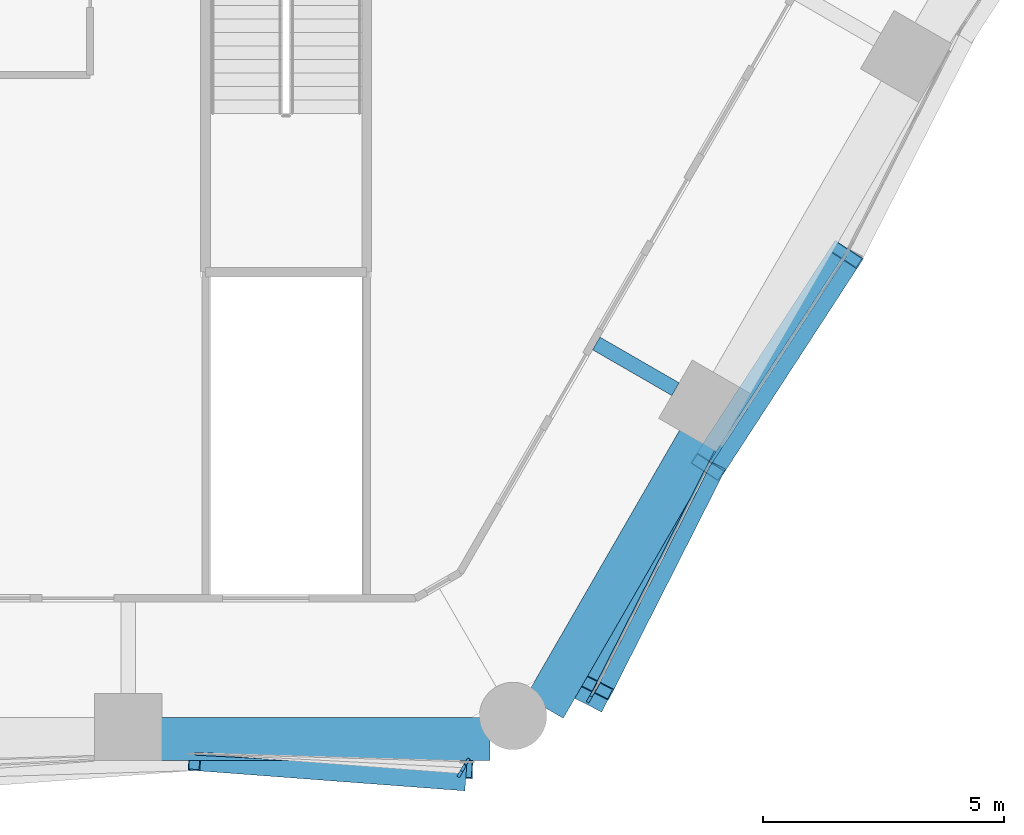
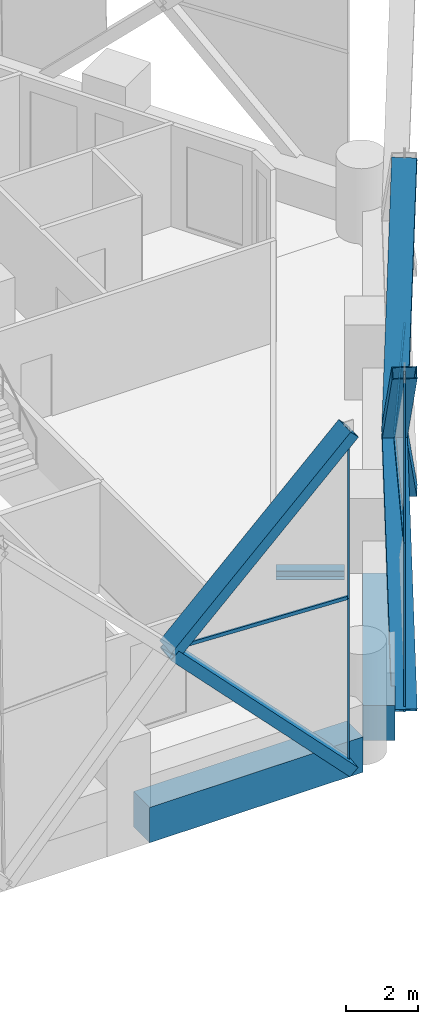
# One storey, part 5 of 22: 13 members, 3 beams, 4 elements without a shape of their own.
"""IFC4 building model written with IfcOpenShell, lengths in metres."""

from ifc_helpers import new_model, si_unit, direction, frame, origin, origin_2d, place, context, subcontext, project, spatial, rectangle, hollow_rectangle, i_section, extrude, material, material_profile, profile_set, type_object, element, aggregate, save


model = new_model("IFC4")

# Units and contexts
model_context = context("Model", 3, precision=1e-05, world=origin(), true_north=direction((0.0, 1.0)))
body_context = subcontext(model_context, "Body", "Model", "MODEL_VIEW")
ifc_project = project(units=[si_unit("LENGTHUNIT", "METRE"), si_unit("AREAUNIT", "SQUARE_METRE"), si_unit("VOLUMEUNIT", "CUBIC_METRE"), si_unit("PLANEANGLEUNIT", "RADIAN"), si_unit("MASSUNIT", "GRAM", prefix="KILO")], contexts=[model_context])

# Site, building, storey
site_placement = place(None, origin())
site = spatial("IfcSite", under=ifc_project, at=site_placement, CompositionType="ELEMENT")
building_placement = place(site_placement, origin())
building = spatial("IfcBuilding", under=site, at=building_placement, Name="Ostrander Bayou Hotel Tower", CompositionType="ELEMENT")
storey_placement = place(building_placement, frame((0.0, 0.0, 46.75)))
storey = spatial("IfcBuildingStorey", under=building, at=storey_placement, Name="L11", CompositionType="ELEMENT", Elevation=46.75)

# Curtain wall, members
ifc_material_1 = material(Name="Aluminium and clear glass", Category="aluminium")
curtain_wall_type = type_object("IfcCurtainWallType", Name="CW-LAT lattice glazing", PredefinedType="NOTDEFINED", material=ifc_material_1)
curtain_wall_1_placement = place(storey_placement, origin())
curtain_wall_1 = element("IfcCurtainWall", 1, at=curtain_wall_1_placement, inside=storey, type_object=curtain_wall_type, Name="CW-LAT L11 S 1", PredefinedType="NOTDEFINED")
ifc_material_2 = material(Name="Aluminium", Category="aluminium")
ifc_material_profile_1 = material_profile(ifc_material_2, hollow_rectangle(XDim=0.06005859375, YDim=0.159912109375, WallThickness=0.00390625, at=origin_2d()))
ifc_profile_set_1 = profile_set([ifc_material_profile_1], Name="Aluminium")
member_type_1 = type_object("IfcMemberType", Name="CW-LA mullion 60 x 160 mm", PredefinedType="MULLION", material=ifc_profile_set_1)
member_1_placement = place(storey_placement, frame((11.09228515625, -21.824462890625, -0.60009765625), z_axis=(0.012582822759, 0.021781300087, 0.999683573706), x_axis=(-0.865898279276, 0.500220121494, 0.0)))
member_1 = element("IfcMember", 2, at=member_1_placement, type_object=member_type_1, Name="CW-LAT mullion 8", PredefinedType="MULLION", context=body_context, shape_type="SweptSolid", body=[
    extrude(hollow_rectangle(XDim=0.06005859375, YDim=0.159912109375, WallThickness=0.00390625, at=origin_2d()), origin(), (0.0, 0.0, 1.0), 5.626708984375),
])
member_2_placement = place(storey_placement, frame((11.1630859375, -21.701904296875, 5.02490234375), z_axis=(0.012582810856, 0.021824668484, 0.999682627996), x_axis=(-0.866328918095, 0.499473928922, 0.0)))
member_2 = element("IfcMember", 3, at=member_2_placement, type_object=member_type_1, Name="CW-LAT mullion 9", PredefinedType="MULLION", context=body_context, shape_type="SweptSolid", body=[
    extrude(hollow_rectangle(XDim=0.06005859375, YDim=0.159912109375, WallThickness=0.00390625, at=origin_2d()), origin(), (0.0, 0.0, 1.0), 5.626708984375),
])
aggregate(curtain_wall_1, [member_1, member_2])

curtain_wall_2_placement = place(storey_placement, origin())
curtain_wall_2 = element("IfcCurtainWall", 4, at=curtain_wall_2_placement, inside=storey, type_object=curtain_wall_type, Name="CW-LAT L11 SE 1", PredefinedType="NOTDEFINED")
member_3_placement = place(storey_placement, frame((13.779541015625, -20.27294921875, -0.60009765625), z_axis=(0.012626204898, 0.021781288175, 0.999683026982), x_axis=(-0.865150838603, 0.501511741103, 0.0)))
member_3 = element("IfcMember", 5, at=member_3_placement, type_object=member_type_1, Name="CW-LAT mullion 1", PredefinedType="MULLION", context=body_context, shape_type="SweptSolid", body=[
    extrude(hollow_rectangle(XDim=0.06005859375, YDim=0.159912109375, WallThickness=0.00390625, at=origin_2d()), origin(), (0.0, 0.0, 1.0), 5.626708984375),
])
member_4_placement = place(storey_placement, frame((13.8505859375, -20.150390625, 5.02490234375), z_axis=(0.012582810856, 0.021824668484, 0.999682627996), x_axis=(-0.866328918095, 0.499473928922, 0.0)))
member_4 = element("IfcMember", 6, at=member_4_placement, type_object=member_type_1, Name="CW-LAT mullion 2", PredefinedType="MULLION", context=body_context, shape_type="SweptSolid", body=[
    extrude(hollow_rectangle(XDim=0.06005859375, YDim=0.159912109375, WallThickness=0.00390625, at=origin_2d()), origin(), (0.0, 0.0, 1.0), 5.626708984375),
])
aggregate(curtain_wall_2, [member_3, member_4])

# Curtain wall, member
curtain_wall_3_placement = place(storey_placement, origin())
curtain_wall_3 = element("IfcCurtainWall", 7, at=curtain_wall_3_placement, inside=storey, type_object=curtain_wall_type, Name="CW-LAT L11 S 2", PredefinedType="NOTDEFINED")
ifc_material_3 = material(Name="Aluminium", Category="aluminium")
ifc_material_profile_2 = material_profile(ifc_material_3, hollow_rectangle(XDim=0.06005859375, YDim=0.1201171875, WallThickness=0.00390625, at=origin_2d()))
ifc_profile_set_2 = profile_set([ifc_material_profile_2], Name="Aluminium")
member_type_2 = type_object("IfcMemberType", Name="CW-LA transom 60 x 120 mm", PredefinedType="USERDEFINED", material=ifc_profile_set_2)
member_5_placement = place(storey_placement, frame((11.1630859375, -21.701904296875, 5.02490234375), z_axis=(-0.998645801876, 0.05202463258, 0.0), x_axis=(-0.05202463258, -0.998645801876, 0.0)))
member_5 = element("IfcMember", 8, at=member_5_placement, type_object=member_type_2, Name="CW-LAT transom 10", ObjectType="TRANSOM", PredefinedType="USERDEFINED", context=body_context, shape_type="SweptSolid", body=[
    extrude(hollow_rectangle(XDim=0.06005859375, YDim=0.1201171875, WallThickness=0.00390625, at=origin_2d()), origin(), (0.0, 0.0, 1.0), 5.589111328125),
])
aggregate(curtain_wall_3, [member_5])

# Curtain wall, members
curtain_wall_4_placement = place(storey_placement, origin())
curtain_wall_4 = element("IfcCurtainWall", 9, at=curtain_wall_4_placement, inside=storey, type_object=curtain_wall_type, Name="CW-LAT L11 SE 2", PredefinedType="NOTDEFINED")
member_6_placement = place(storey_placement, frame((13.8505859375, -20.150390625, 5.02490234375), z_axis=(0.453334732303, 0.891340350533, 0.0), x_axis=(-0.891340350533, 0.453334732303, 0.0)))
member_6 = element("IfcMember", 10, at=member_6_placement, type_object=member_type_2, Name="CW-LAT transom 3", ObjectType="TRANSOM", PredefinedType="USERDEFINED", context=body_context, shape_type="SweptSolid", body=[
    extrude(hollow_rectangle(XDim=0.06005859375, YDim=0.1201171875, WallThickness=0.00390625, at=origin_2d()), origin(), (0.0, 0.0, 1.0), 5.637939453125),
])
member_7_placement = place(storey_placement, frame((19.11328125, -11.034912109375, 5.02490234375), z_axis=(-0.545235823452, -0.838282706982, 0.0), x_axis=(0.838282706982, -0.545235823452, 0.0)))
member_7 = element("IfcMember", 11, at=member_7_placement, type_object=member_type_2, Name="CW-LAT transom 6", ObjectType="TRANSOM", PredefinedType="USERDEFINED", context=body_context, shape_type="SweptSolid", body=[
    extrude(hollow_rectangle(XDim=0.06005859375, YDim=0.1201171875, WallThickness=0.00390625, at=origin_2d()), origin(), (0.0, 0.0, 1.0), 5.270263671875),
])
aggregate(curtain_wall_4, [member_6, member_7])

# Beam
ifc_material_4 = material(Name="Steel ASTM A992", Category="steel")
ifc_material_profile_3 = material_profile(ifc_material_4, i_section(OverallWidth=0.3046875, OverallDepth=0.307861328125, WebThickness=0.010009765625, FlangeThickness=0.015380859375, at=origin_2d()))
ifc_profile_set_3 = profile_set([ifc_material_profile_3], Name="Steel ASTM A992")
beam_type_1 = type_object("IfcBeamType", Name="LB1 loggia bracket W12x65", PredefinedType="BEAM", material=ifc_profile_set_3)
beam_1_placement = place(storey_placement, frame((15.569091796875, -13.833251953125, -0.453857421875), z_axis=(-0.86601224135, 0.500022797313, 0.0), x_axis=(-0.500022797313, -0.86601224135, 0.0)))
element("IfcBeam", 12, at=beam_1_placement, inside=storey, type_object=beam_type_1, Name="LB1 L11 SE1", PredefinedType="BEAM", context=body_context, shape_type="SweptSolid", body=[
    extrude(i_section(OverallWidth=0.3046875, OverallDepth=0.307861328125, WebThickness=0.010009765625, FlangeThickness=0.015380859375, at=origin_2d()), origin(), (0.0, 0.0, 1.0), 1.89990234375),
])

# Members
ifc_material_5 = material(Name="Steel ASTM A572 Gr 50", Category="steel")
ifc_material_profile_4 = material_profile(ifc_material_5, hollow_rectangle(XDim=0.699951171875, YDim=0.35009765625, WallThickness=0.02490234375, at=origin_2d()))
ifc_profile_set_4 = profile_set([ifc_material_profile_4], Name="Steel ASTM A572 Gr 50")
member_type_3 = type_object("IfcMemberType", Name="LT1 lattice member box 700 x 350 x 25 mm", PredefinedType="BRACE", material=ifc_profile_set_4)
member_8_placement = place(storey_placement, frame((5.58154296875, -21.4111328125, 5.02490234375), z_axis=(0.698852657643, -0.052417045428, -0.713342425665), x_axis=(0.074794341388, 0.997198980393, 0.0)))
element("IfcMember", 13, at=member_8_placement, inside=storey, type_object=member_type_3, Name="LT1 L11 S 7", PredefinedType="BRACE", context=body_context, shape_type="SweptSolid", body=[
    extrude(hollow_rectangle(XDim=0.699951171875, YDim=0.35009765625, WallThickness=0.02490234375, at=origin_2d()), origin(), (0.0, 0.0, 1.0), 7.885498046875),
])
member_9_placement = place(storey_placement, frame((5.58154296875, -21.4111328125, 5.02490234375), z_axis=(0.708662000278, -0.021059064279, 0.705233780511), x_axis=(0.029703542747, 0.999558752424, 0.0)))
element("IfcMember", 14, at=member_9_placement, inside=storey, type_object=member_type_3, Name="LT1 L11 S 8", PredefinedType="BRACE", context=body_context, shape_type="SweptSolid", body=[
    extrude(hollow_rectangle(XDim=0.699951171875, YDim=0.35009765625, WallThickness=0.02490234375, at=origin_2d()), origin(), (0.0, 0.0, 1.0), 7.97607421875),
])
member_10_placement = place(storey_placement, frame((16.23974609375, -15.452880859375, 5.02490234375), z_axis=(-0.315187462029, -0.617519704559, -0.72064296171), x_axis=(0.890688059256, -0.454614981164, 0.0)))
element("IfcMember", 15, at=member_10_placement, inside=storey, type_object=member_type_3, Name="LT1 L11 SE 1", PredefinedType="BRACE", context=body_context, shape_type="SweptSolid", body=[
    extrude(hollow_rectangle(XDim=0.699951171875, YDim=0.35009765625, WallThickness=0.02490234375, at=origin_2d()), origin(), (0.0, 0.0, 1.0), 7.805419921875),
])
member_11_placement = place(storey_placement, frame((16.23974609375, -15.452880859375, 5.02490234375), z_axis=(-0.304564248328, -0.600981980326, 0.738959591563), x_axis=(0.891995852617, -0.452043580769, 0.0)))
element("IfcMember", 16, at=member_11_placement, inside=storey, type_object=member_type_3, Name="LT1 L11 SE 2", PredefinedType="BRACE", context=body_context, shape_type="SweptSolid", body=[
    extrude(hollow_rectangle(XDim=0.699951171875, YDim=0.35009765625, WallThickness=0.02490234375, at=origin_2d()), origin(), (0.0, 0.0, 1.0), 7.612060546875),
])
for number, where, z_axis, x_axis, name in (
    (17, (16.23974609375, -15.452880859375, 5.02490234375), (0.372789607254, 0.573152143829, -0.729742782594), (-0.838282706982, 0.545235823452, 0.0), "LT1 L11 SE 3"),
    (18, (16.23974609375, -15.452880859375, 5.02490234375), (0.372789607254, 0.573152143829, 0.729742782594), (-0.838282706982, 0.545235823452, 0.0), "LT1 L11 SE 4"),
):
    element("IfcMember", number, at=place(storey_placement, frame(where, z_axis=z_axis, x_axis=x_axis)), inside=storey, type_object=member_type_3, Name=name, PredefinedType="BRACE", context=body_context, shape_type="SweptSolid", body=[
        extrude(hollow_rectangle(XDim=0.699951171875, YDim=0.35009765625, WallThickness=0.02490234375, at=origin_2d()), origin(), (0.0, 0.0, 1.0), 7.708251953125),
    ])

# Beams
ifc_material_6 = material(Name="Concrete f'c 70 MPa", Category="concrete")
ifc_material_profile_5 = material_profile(ifc_material_6, rectangle(XDim=0.89990234375, YDim=1.199951171875, at=origin_2d()))
ifc_profile_set_5 = profile_set([ifc_material_profile_5], Name="Concrete f'c 70 MPa")
beam_type_2 = type_object("IfcBeamType", Name="SP1 spandrel beam 900 x 1200 mm f'c 70 MPa", PredefinedType="SPANDREL", material=ifc_profile_set_5)
beam_2_placement = place(storey_placement, frame((4.865478515625, -21.1044921875, -0.60009765625), z_axis=(1.0, 0.0, 0.0), x_axis=(0.0, 1.0, 0.0)))
element("IfcBeam", 19, at=beam_2_placement, inside=storey, type_object=beam_type_2, Name="SP1 L11 S-3", PredefinedType="SPANDREL", context=body_context, shape_type="SweptSolid", body=[
    extrude(rectangle(XDim=0.89990234375, YDim=1.199951171875, at=origin_2d()), origin(), (0.0, 0.0, 1.0), 6.84521484375),
])
beam_3_placement = place(storey_placement, frame((12.846923828125, -20.448486328125, -0.60009765625), z_axis=(0.500000066162, 0.866025365586, 0.0), x_axis=(-0.866025365586, 0.500000066162, 0.0)))
element("IfcBeam", 20, at=beam_3_placement, inside=storey, type_object=beam_type_2, Name="SP1 L11 SE-1", PredefinedType="SPANDREL", context=body_context, shape_type="SweptSolid", body=[
    extrude(rectangle(XDim=0.89990234375, YDim=1.199951171875, at=origin_2d()), origin(), (0.0, 0.0, 1.0), 6.419921875),
])

save(model, "model.ifc")
